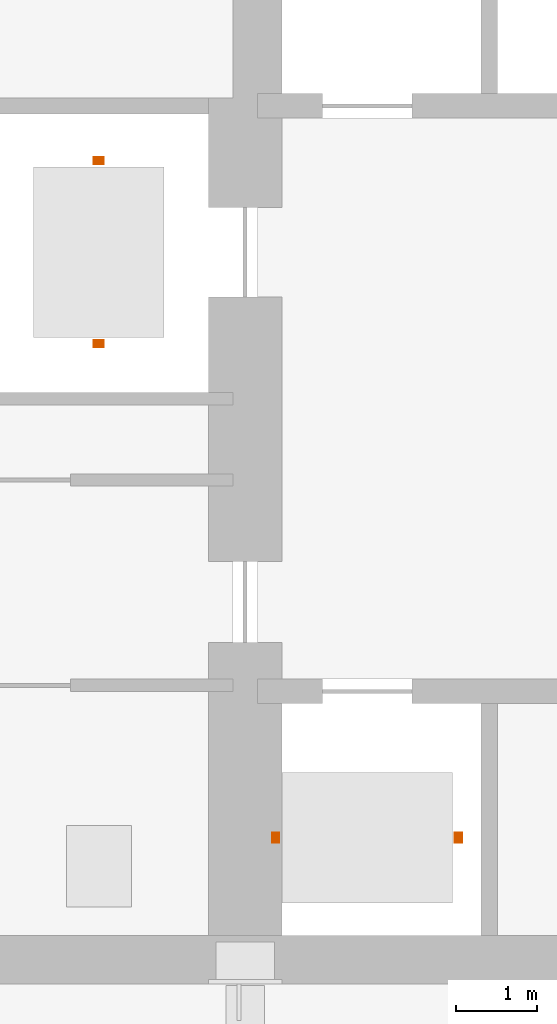
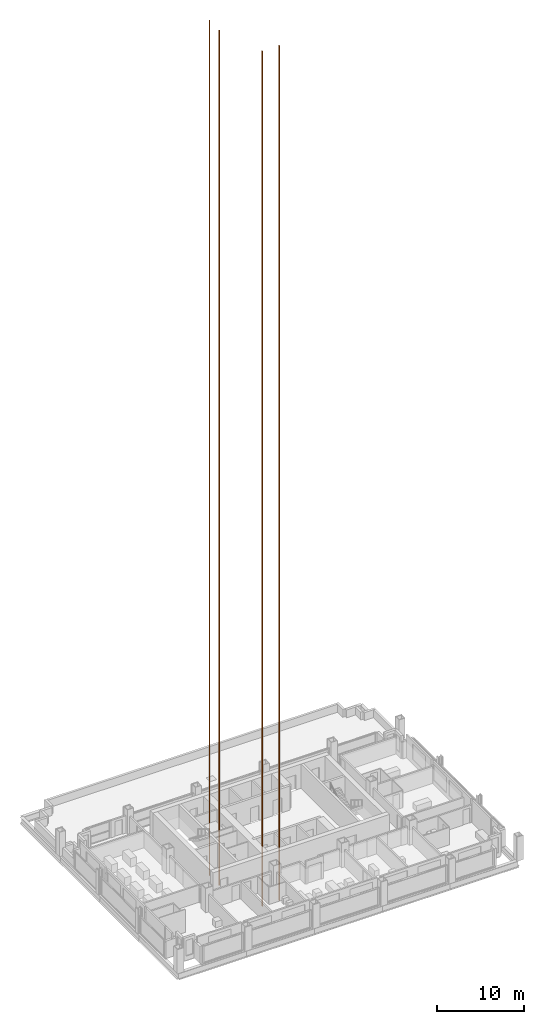
# One storey, part 15 of 15: 2 proxies.
"""IFC4 building model written with IfcOpenShell, lengths in metres."""

from ifc_helpers import new_model, si_unit, direction, frame, frame_2d, origin, place, context, subcontext, project, spatial, rectangle, extrude, material, type_object, element, save


model = new_model("IFC4")

# Units and contexts
model_context = context("Model", 3, precision=1e-05, world=origin(), true_north=direction((0.0, 1.0)))
body_context = subcontext(model_context, "Body", "Model", "MODEL_VIEW")
ifc_project = project(units=[si_unit("LENGTHUNIT", "METRE"), si_unit("AREAUNIT", "SQUARE_METRE"), si_unit("VOLUMEUNIT", "CUBIC_METRE"), si_unit("PLANEANGLEUNIT", "RADIAN"), si_unit("MASSUNIT", "GRAM", prefix="KILO")], contexts=[model_context])

# Site, building, storey
site_placement = place(None, origin())
site = spatial("IfcSite", under=ifc_project, at=site_placement, CompositionType="ELEMENT")
building_placement = place(site_placement, origin())
building = spatial("IfcBuilding", under=site, at=building_placement, Name="Loomwork Tower", CompositionType="ELEMENT")
storey_placement = place(building_placement, frame((0.0, 0.0, 160.39990234375)))
storey = spatial("IfcBuildingStorey", under=building, at=storey_placement, Name="L43", CompositionType="ELEMENT", Elevation=160.39990234375)

# Proxies
ifc_material = material(Name="Steel guide rails", Category="steel")
building_element_proxy_type = type_object("IfcBuildingElementProxyType", Name="Lift guide rail frame", PredefinedType="USERDEFINED", material=ifc_material)
for number, where, z_axis, x_axis, name in (
    (1, (19.5, 12.60009765625, -5.0), (0.0, 0.0, 1.0), (1.0, 0.0, 0.0), "Lift guide rail frame LC1"),
    (2, (16.199951171875, 19.800048828125, -5.0), (0.0, 0.0, 1.0), (0.0, 1.0, 0.0), "Lift guide rail frame LC2"),
):
    element("IfcBuildingElementProxy", number, at=place(storey_placement, frame(where, z_axis=z_axis, x_axis=x_axis)), inside=storey, type_object=building_element_proxy_type, Name=name, ObjectType="LIFT GUIDE RAIL FRAME", PredefinedType="USERDEFINED", context=body_context, shape_type="SweptSolid", body=[
        extrude(rectangle(XDim=0.090087890625, YDim=0.125, at=frame_2d((-1.125, 0.0))), origin(), (0.0, 0.0, 1.0), 119.800048828125),
        extrude(rectangle(XDim=0.090087890625, YDim=0.125, at=frame_2d((1.125, 0.0))), origin(), (0.0, 0.0, 1.0), 119.800048828125),
    ])

save(model, "model.ifc")
